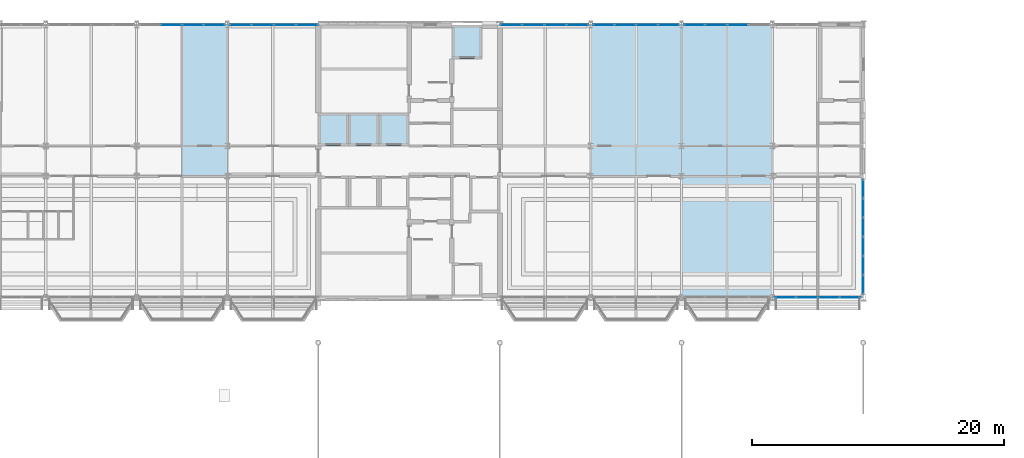
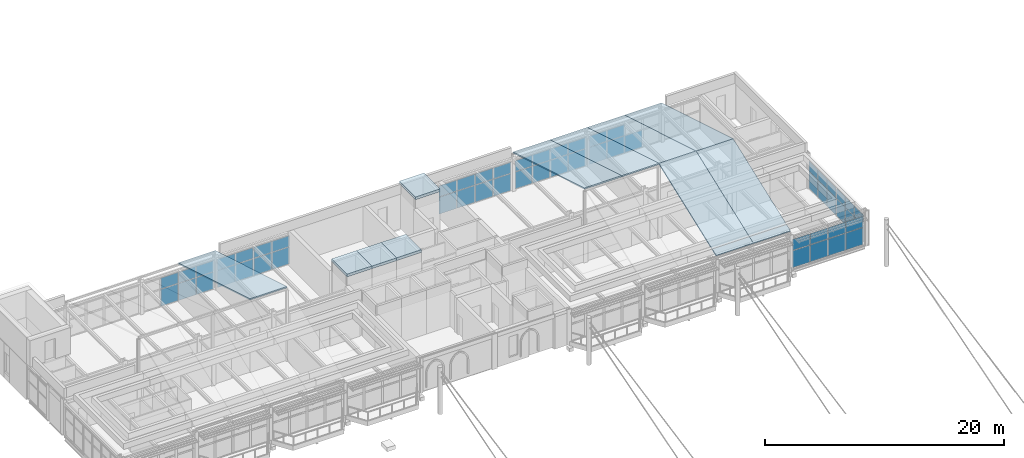
# One storey, part 46 of 68: 55 plates, 11 slabs, 8 elements without a shape of their own.
"""IFC4 building model written with IfcOpenShell, lengths in metres."""

from ifc_helpers import new_model, si_unit, direction, frame, origin, origin_2d, place, context, subcontext, project, spatial, polyline, rectangle, outline, extrude, material, layer, layer_set, type_object, element, aggregate, save


model = new_model("IFC4")

# Units and contexts
model_context = context("Model", 3, precision=1e-05, world=origin(), true_north=direction((0.0, 1.0)))
body_context = subcontext(model_context, "Body", "Model", "MODEL_VIEW")
ifc_project = project(units=[si_unit("LENGTHUNIT", "METRE"), si_unit("AREAUNIT", "SQUARE_METRE"), si_unit("VOLUMEUNIT", "CUBIC_METRE"), si_unit("PLANEANGLEUNIT", "RADIAN"), si_unit("MASSUNIT", "GRAM", prefix="KILO")], contexts=[model_context])

# Site, building, storey
site_placement = place(None, origin())
site = spatial("IfcSite", under=ifc_project, at=site_placement, CompositionType="ELEMENT")
building_placement = place(site_placement, origin())
building = spatial("IfcBuilding", under=site, at=building_placement, Name="Kupolbacken Congress Centre", CompositionType="ELEMENT")
storey_placement = place(building_placement, frame((0.0, 0.0, 25.199951171875)))
storey = spatial("IfcBuildingStorey", under=building, at=storey_placement, Name="L07", CompositionType="ELEMENT", Elevation=25.199951171875)

# Curtain wall, plates
ifc_material_1 = material(Name="Aluminium mullion-transom frame with glass", Category="aluminium")
curtain_wall_type = type_object("IfcCurtainWallType", Name="CW1 curtain wall 7200x3600", PredefinedType="NOTDEFINED", material=ifc_material_1)
curtain_wall_1_placement = place(storey_placement, origin())
curtain_wall_1 = element("IfcCurtainWall", 1, at=curtain_wall_1_placement, inside=storey, type_object=curtain_wall_type, Name="E/T/E/L07/099/g0", PredefinedType="NOTDEFINED")
ifc_material_2 = material(Name="Glass", Category="glass")
ifc_layer_1 = layer(ifc_material_2, 0.035888671875)
ifc_layer_set_1 = layer_set([ifc_layer_1], Name="Glass")
plate_type = type_object("IfcPlateType", Name="GL2 glass panel 36", PredefinedType="CURTAIN_PANEL", material=ifc_layer_set_1)
plate_1_placement = place(storey_placement, frame((136.800048828125, 123.39990234375, 0.050048828125), z_axis=(0.0, 0.0, 1.0), x_axis=(0.0, 1.0, 0.0)))
plate_1 = element("IfcPlate", 2, at=plate_1_placement, type_object=plate_type, Name="CW1 panel 1.1", PredefinedType="CURTAIN_PANEL", context=body_context, shape_type="SweptSolid", body=[
    extrude(rectangle(XDim=1.449951171875, YDim=0.035888671875, at=origin_2d()), origin(), (0.0, 0.0, 1.0), 1.72509765625),
])
plate_2_placement = place(storey_placement, frame((136.800048828125, 123.39990234375, 1.8251953125), z_axis=(0.0, 0.0, 1.0), x_axis=(0.0, 1.0, 0.0)))
plate_2 = element("IfcPlate", 3, at=plate_2_placement, type_object=plate_type, Name="CW1 panel 1.2", PredefinedType="CURTAIN_PANEL", context=body_context, shape_type="SweptSolid", body=[
    extrude(rectangle(XDim=1.449951171875, YDim=0.035888671875, at=origin_2d()), origin(), (0.0, 0.0, 1.0), 1.014892578125),
])
plate_3_placement = place(storey_placement, frame((136.800048828125, 124.91259765625, 0.050048828125), z_axis=(0.0, 0.0, 1.0), x_axis=(0.0, 1.0, 0.0)))
plate_3 = element("IfcPlate", 4, at=plate_3_placement, type_object=plate_type, Name="CW1 panel 2.1", PredefinedType="CURTAIN_PANEL", context=body_context, shape_type="SweptSolid", body=[
    extrude(rectangle(XDim=1.47509765625, YDim=0.035888671875, at=origin_2d()), origin(), (0.0, 0.0, 1.0), 1.72509765625),
])
plate_4_placement = place(storey_placement, frame((136.800048828125, 124.91259765625, 1.8251953125), z_axis=(0.0, 0.0, 1.0), x_axis=(0.0, 1.0, 0.0)))
plate_4 = element("IfcPlate", 5, at=plate_4_placement, type_object=plate_type, Name="CW1 panel 2.2", PredefinedType="CURTAIN_PANEL", context=body_context, shape_type="SweptSolid", body=[
    extrude(rectangle(XDim=1.47509765625, YDim=0.035888671875, at=origin_2d()), origin(), (0.0, 0.0, 1.0), 1.014892578125),
])
plate_5_placement = place(storey_placement, frame((136.800048828125, 126.425048828125, 0.050048828125), z_axis=(0.0, 0.0, 1.0), x_axis=(0.0, 1.0, 0.0)))
plate_5 = element("IfcPlate", 6, at=plate_5_placement, type_object=plate_type, Name="CW1 panel 3.1", PredefinedType="CURTAIN_PANEL", context=body_context, shape_type="SweptSolid", body=[
    extrude(rectangle(XDim=1.449951171875, YDim=0.035888671875, at=origin_2d()), origin(), (0.0, 0.0, 1.0), 1.72509765625),
])
plate_6_placement = place(storey_placement, frame((136.800048828125, 126.425048828125, 1.8251953125), z_axis=(0.0, 0.0, 1.0), x_axis=(0.0, 1.0, 0.0)))
plate_6 = element("IfcPlate", 7, at=plate_6_placement, type_object=plate_type, Name="CW1 panel 3.2", PredefinedType="CURTAIN_PANEL", context=body_context, shape_type="SweptSolid", body=[
    extrude(rectangle(XDim=1.449951171875, YDim=0.035888671875, at=origin_2d()), origin(), (0.0, 0.0, 1.0), 1.014892578125),
])
aggregate(curtain_wall_1, [plate_1, plate_2, plate_3, plate_4, plate_5, plate_6])

curtain_wall_2_placement = place(storey_placement, origin())
curtain_wall_2 = element("IfcCurtainWall", 8, at=curtain_wall_2_placement, inside=storey, type_object=curtain_wall_type, Name="E/T/E/L07/099/g1", PredefinedType="NOTDEFINED")
plate_7_placement = place(storey_placement, frame((136.800048828125, 127.97509765625, 0.050048828125), z_axis=(0.0, 0.0, 1.0), x_axis=(0.0, 1.0, 0.0)))
plate_7 = element("IfcPlate", 9, at=plate_7_placement, type_object=plate_type, Name="CW1 panel 1.1", PredefinedType="CURTAIN_PANEL", context=body_context, shape_type="SweptSolid", body=[
    extrude(rectangle(XDim=1.449951171875, YDim=0.035888671875, at=origin_2d()), origin(), (0.0, 0.0, 1.0), 1.72509765625),
])
plate_8_placement = place(storey_placement, frame((136.800048828125, 127.97509765625, 1.8251953125), z_axis=(0.0, 0.0, 1.0), x_axis=(0.0, 1.0, 0.0)))
plate_8 = element("IfcPlate", 10, at=plate_8_placement, type_object=plate_type, Name="CW1 panel 1.2", PredefinedType="CURTAIN_PANEL", context=body_context, shape_type="SweptSolid", body=[
    extrude(rectangle(XDim=1.449951171875, YDim=0.035888671875, at=origin_2d()), origin(), (0.0, 0.0, 1.0), 1.014892578125),
])
plate_9_placement = place(storey_placement, frame((136.800048828125, 129.487548828125, 0.050048828125), z_axis=(0.0, 0.0, 1.0), x_axis=(0.0, 1.0, 0.0)))
plate_9 = element("IfcPlate", 11, at=plate_9_placement, type_object=plate_type, Name="CW1 panel 2.1", PredefinedType="CURTAIN_PANEL", context=body_context, shape_type="SweptSolid", body=[
    extrude(rectangle(XDim=1.47509765625, YDim=0.035888671875, at=origin_2d()), origin(), (0.0, 0.0, 1.0), 1.72509765625),
])
plate_10_placement = place(storey_placement, frame((136.800048828125, 129.487548828125, 1.8251953125), z_axis=(0.0, 0.0, 1.0), x_axis=(0.0, 1.0, 0.0)))
plate_10 = element("IfcPlate", 12, at=plate_10_placement, type_object=plate_type, Name="CW1 panel 2.2", PredefinedType="CURTAIN_PANEL", context=body_context, shape_type="SweptSolid", body=[
    extrude(rectangle(XDim=1.47509765625, YDim=0.035888671875, at=origin_2d()), origin(), (0.0, 0.0, 1.0), 1.014892578125),
])
plate_11_placement = place(storey_placement, frame((136.800048828125, 131.0, 0.050048828125), z_axis=(0.0, 0.0, 1.0), x_axis=(0.0, 1.0, 0.0)))
plate_11 = element("IfcPlate", 13, at=plate_11_placement, type_object=plate_type, Name="CW1 panel 3.1", PredefinedType="CURTAIN_PANEL", context=body_context, shape_type="SweptSolid", body=[
    extrude(rectangle(XDim=1.449951171875, YDim=0.035888671875, at=origin_2d()), origin(), (0.0, 0.0, 1.0), 1.72509765625),
])
plate_12_placement = place(storey_placement, frame((136.800048828125, 131.0, 1.8251953125), z_axis=(0.0, 0.0, 1.0), x_axis=(0.0, 1.0, 0.0)))
plate_12 = element("IfcPlate", 14, at=plate_12_placement, type_object=plate_type, Name="CW1 panel 3.2", PredefinedType="CURTAIN_PANEL", context=body_context, shape_type="SweptSolid", body=[
    extrude(rectangle(XDim=1.449951171875, YDim=0.035888671875, at=origin_2d()), origin(), (0.0, 0.0, 1.0), 1.014892578125),
])
aggregate(curtain_wall_2, [plate_7, plate_8, plate_9, plate_10, plate_11, plate_12])

curtain_wall_3_placement = place(storey_placement, origin())
curtain_wall_3 = element("IfcCurtainWall", 15, at=curtain_wall_3_placement, inside=storey, type_object=curtain_wall_type, Name="E/T/N/L07/104/g0", PredefinedType="NOTDEFINED")
plate_13_placement = place(storey_placement, frame((126.861572265625, 144.0, 0.050048828125), z_axis=(0.0, 0.0, 1.0), x_axis=(-1.0, 0.0, 0.0)))
plate_13 = element("IfcPlate", 16, at=plate_13_placement, type_object=plate_type, Name="CW1 panel 2.1", PredefinedType="CURTAIN_PANEL", context=body_context, shape_type="SweptSolid", body=[
    extrude(rectangle(XDim=1.67333984375, YDim=0.035888671875, at=origin_2d()), origin(), (0.0, 0.0, 1.0), 1.72509765625),
])
plate_14_placement = place(storey_placement, frame((125.138427734375, 144.0, 0.050048828125), z_axis=(0.0, 0.0, 1.0), x_axis=(-1.0, 0.0, 0.0)))
plate_14 = element("IfcPlate", 17, at=plate_14_placement, type_object=plate_type, Name="CW1 panel 3.1", PredefinedType="CURTAIN_PANEL", context=body_context, shape_type="SweptSolid", body=[
    extrude(rectangle(XDim=1.67333984375, YDim=0.035888671875, at=origin_2d()), origin(), (0.0, 0.0, 1.0), 1.72509765625),
])
plate_15_placement = place(storey_placement, frame((125.138427734375, 144.0, 1.8251953125), z_axis=(0.0, 0.0, 1.0), x_axis=(-1.0, 0.0, 0.0)))
plate_15 = element("IfcPlate", 18, at=plate_15_placement, type_object=plate_type, Name="CW1 panel 3.2", PredefinedType="CURTAIN_PANEL", context=body_context, shape_type="SweptSolid", body=[
    extrude(rectangle(XDim=1.67333984375, YDim=0.035888671875, at=origin_2d()), origin(), (0.0, 0.0, 1.0), 1.114990234375),
])
plate_16_placement = place(storey_placement, frame((123.427734375, 144.0, 0.050048828125), z_axis=(0.0, 0.0, 1.0), x_axis=(-1.0, 0.0, 0.0)))
plate_16 = element("IfcPlate", 19, at=plate_16_placement, type_object=plate_type, Name="CW1 panel 4.1", PredefinedType="CURTAIN_PANEL", context=body_context, shape_type="SweptSolid", body=[
    extrude(rectangle(XDim=1.648193359375, YDim=0.035888671875, at=origin_2d()), origin(), (0.0, 0.0, 1.0), 1.72509765625),
])
plate_17_placement = place(storey_placement, frame((123.427734375, 144.0, 1.8251953125), z_axis=(0.0, 0.0, 1.0), x_axis=(-1.0, 0.0, 0.0)))
plate_17 = element("IfcPlate", 20, at=plate_17_placement, type_object=plate_type, Name="CW1 panel 4.2", PredefinedType="CURTAIN_PANEL", context=body_context, shape_type="SweptSolid", body=[
    extrude(rectangle(XDim=1.648193359375, YDim=0.035888671875, at=origin_2d()), origin(), (0.0, 0.0, 1.0), 1.114990234375),
])
aggregate(curtain_wall_3, [plate_13, plate_14, plate_15, plate_16, plate_17])

curtain_wall_4_placement = place(storey_placement, origin())
curtain_wall_4 = element("IfcCurtainWall", 21, at=curtain_wall_4_placement, inside=storey, type_object=curtain_wall_type, Name="E/T/N/L07/105/g0", PredefinedType="NOTDEFINED")
plate_18_placement = place(storey_placement, frame((121.372314453125, 144.0, 0.050048828125), z_axis=(0.0, 0.0, 1.0), x_axis=(-1.0, 0.0, 0.0)))
plate_18 = element("IfcPlate", 22, at=plate_18_placement, type_object=plate_type, Name="CW1 panel 1.1", PredefinedType="CURTAIN_PANEL", context=body_context, shape_type="SweptSolid", body=[
    extrude(rectangle(XDim=1.648193359375, YDim=0.035888671875, at=origin_2d()), origin(), (0.0, 0.0, 1.0), 1.72509765625),
])
plate_19_placement = place(storey_placement, frame((121.372314453125, 144.0, 1.8251953125), z_axis=(0.0, 0.0, 1.0), x_axis=(-1.0, 0.0, 0.0)))
plate_19 = element("IfcPlate", 23, at=plate_19_placement, type_object=plate_type, Name="CW1 panel 1.2", PredefinedType="CURTAIN_PANEL", context=body_context, shape_type="SweptSolid", body=[
    extrude(rectangle(XDim=1.648193359375, YDim=0.035888671875, at=origin_2d()), origin(), (0.0, 0.0, 1.0), 1.114990234375),
])
plate_20_placement = place(storey_placement, frame((119.66162109375, 144.0, 0.050048828125), z_axis=(0.0, 0.0, 1.0), x_axis=(-1.0, 0.0, 0.0)))
plate_20 = element("IfcPlate", 24, at=plate_20_placement, type_object=plate_type, Name="CW1 panel 2.1", PredefinedType="CURTAIN_PANEL", context=body_context, shape_type="SweptSolid", body=[
    extrude(rectangle(XDim=1.67333984375, YDim=0.035888671875, at=origin_2d()), origin(), (0.0, 0.0, 1.0), 1.72509765625),
])
plate_21_placement = place(storey_placement, frame((119.66162109375, 144.0, 1.8251953125), z_axis=(0.0, 0.0, 1.0), x_axis=(-1.0, 0.0, 0.0)))
plate_21 = element("IfcPlate", 25, at=plate_21_placement, type_object=plate_type, Name="CW1 panel 2.2", PredefinedType="CURTAIN_PANEL", context=body_context, shape_type="SweptSolid", body=[
    extrude(rectangle(XDim=1.67333984375, YDim=0.035888671875, at=origin_2d()), origin(), (0.0, 0.0, 1.0), 1.114990234375),
])
plate_22_placement = place(storey_placement, frame((117.9384765625, 144.0, 0.050048828125), z_axis=(0.0, 0.0, 1.0), x_axis=(-1.0, 0.0, 0.0)))
plate_22 = element("IfcPlate", 26, at=plate_22_placement, type_object=plate_type, Name="CW1 panel 3.1", PredefinedType="CURTAIN_PANEL", context=body_context, shape_type="SweptSolid", body=[
    extrude(rectangle(XDim=1.67333984375, YDim=0.035888671875, at=origin_2d()), origin(), (0.0, 0.0, 1.0), 1.72509765625),
])
plate_23_placement = place(storey_placement, frame((117.9384765625, 144.0, 1.8251953125), z_axis=(0.0, 0.0, 1.0), x_axis=(-1.0, 0.0, 0.0)))
plate_23 = element("IfcPlate", 27, at=plate_23_placement, type_object=plate_type, Name="CW1 panel 3.2", PredefinedType="CURTAIN_PANEL", context=body_context, shape_type="SweptSolid", body=[
    extrude(rectangle(XDim=1.67333984375, YDim=0.035888671875, at=origin_2d()), origin(), (0.0, 0.0, 1.0), 1.114990234375),
])
plate_24_placement = place(storey_placement, frame((116.2275390625, 144.0, 0.050048828125), z_axis=(0.0, 0.0, 1.0), x_axis=(-1.0, 0.0, 0.0)))
plate_24 = element("IfcPlate", 28, at=plate_24_placement, type_object=plate_type, Name="CW1 panel 4.1", PredefinedType="CURTAIN_PANEL", context=body_context, shape_type="SweptSolid", body=[
    extrude(rectangle(XDim=1.648193359375, YDim=0.035888671875, at=origin_2d()), origin(), (0.0, 0.0, 1.0), 1.72509765625),
])
plate_25_placement = place(storey_placement, frame((116.2275390625, 144.0, 1.8251953125), z_axis=(0.0, 0.0, 1.0), x_axis=(-1.0, 0.0, 0.0)))
plate_25 = element("IfcPlate", 29, at=plate_25_placement, type_object=plate_type, Name="CW1 panel 4.2", PredefinedType="CURTAIN_PANEL", context=body_context, shape_type="SweptSolid", body=[
    extrude(rectangle(XDim=1.648193359375, YDim=0.035888671875, at=origin_2d()), origin(), (0.0, 0.0, 1.0), 1.114990234375),
])
aggregate(curtain_wall_4, [plate_18, plate_19, plate_20, plate_21, plate_22, plate_23, plate_24, plate_25])

curtain_wall_5_placement = place(storey_placement, origin())
curtain_wall_5 = element("IfcCurtainWall", 30, at=curtain_wall_5_placement, inside=storey, type_object=curtain_wall_type, Name="E/T/N/L07/106/g0", PredefinedType="NOTDEFINED")
plate_26_placement = place(storey_placement, frame((114.153076171875, 144.0, 0.050048828125), z_axis=(0.0, 0.0, 1.0), x_axis=(-1.0, 0.0, 0.0)))
plate_26 = element("IfcPlate", 31, at=plate_26_placement, type_object=plate_type, Name="CW1 panel 1.1", PredefinedType="CURTAIN_PANEL", context=body_context, shape_type="SweptSolid", body=[
    extrude(rectangle(XDim=1.6865234375, YDim=0.035888671875, at=origin_2d()), origin(), (0.0, 0.0, 1.0), 1.72509765625),
])
plate_27_placement = place(storey_placement, frame((114.153076171875, 144.0, 1.8251953125), z_axis=(0.0, 0.0, 1.0), x_axis=(-1.0, 0.0, 0.0)))
plate_27 = element("IfcPlate", 32, at=plate_27_placement, type_object=plate_type, Name="CW1 panel 1.2", PredefinedType="CURTAIN_PANEL", context=body_context, shape_type="SweptSolid", body=[
    extrude(rectangle(XDim=1.6865234375, YDim=0.035888671875, at=origin_2d()), origin(), (0.0, 0.0, 1.0), 1.114990234375),
])
plate_28_placement = place(storey_placement, frame((112.404052734375, 144.0, 0.050048828125), z_axis=(0.0, 0.0, 1.0), x_axis=(-1.0, 0.0, 0.0)))
plate_28 = element("IfcPlate", 33, at=plate_28_placement, type_object=plate_type, Name="CW1 panel 2.1", PredefinedType="CURTAIN_PANEL", context=body_context, shape_type="SweptSolid", body=[
    extrude(rectangle(XDim=1.711669921875, YDim=0.035888671875, at=origin_2d()), origin(), (0.0, 0.0, 1.0), 1.72509765625),
])
plate_29_placement = place(storey_placement, frame((112.404052734375, 144.0, 1.8251953125), z_axis=(0.0, 0.0, 1.0), x_axis=(-1.0, 0.0, 0.0)))
plate_29 = element("IfcPlate", 34, at=plate_29_placement, type_object=plate_type, Name="CW1 panel 2.2", PredefinedType="CURTAIN_PANEL", context=body_context, shape_type="SweptSolid", body=[
    extrude(rectangle(XDim=1.711669921875, YDim=0.035888671875, at=origin_2d()), origin(), (0.0, 0.0, 1.0), 1.114990234375),
])
plate_30_placement = place(storey_placement, frame((110.642333984375, 144.0, 0.050048828125), z_axis=(0.0, 0.0, 1.0), x_axis=(-1.0, 0.0, 0.0)))
plate_30 = element("IfcPlate", 35, at=plate_30_placement, type_object=plate_type, Name="CW1 panel 3.1", PredefinedType="CURTAIN_PANEL", context=body_context, shape_type="SweptSolid", body=[
    extrude(rectangle(XDim=1.711669921875, YDim=0.035888671875, at=origin_2d()), origin(), (0.0, 0.0, 1.0), 1.72509765625),
])
plate_31_placement = place(storey_placement, frame((110.642333984375, 144.0, 1.8251953125), z_axis=(0.0, 0.0, 1.0), x_axis=(-1.0, 0.0, 0.0)))
plate_31 = element("IfcPlate", 36, at=plate_31_placement, type_object=plate_type, Name="CW1 panel 3.2", PredefinedType="CURTAIN_PANEL", context=body_context, shape_type="SweptSolid", body=[
    extrude(rectangle(XDim=1.711669921875, YDim=0.035888671875, at=origin_2d()), origin(), (0.0, 0.0, 1.0), 1.114990234375),
])
plate_32_placement = place(storey_placement, frame((108.893310546875, 144.0, 0.050048828125), z_axis=(0.0, 0.0, 1.0), x_axis=(-1.0, 0.0, 0.0)))
plate_32 = element("IfcPlate", 37, at=plate_32_placement, type_object=plate_type, Name="CW1 panel 4.1", PredefinedType="CURTAIN_PANEL", context=body_context, shape_type="SweptSolid", body=[
    extrude(rectangle(XDim=1.6865234375, YDim=0.035888671875, at=origin_2d()), origin(), (0.0, 0.0, 1.0), 1.72509765625),
])
plate_33_placement = place(storey_placement, frame((108.893310546875, 144.0, 1.8251953125), z_axis=(0.0, 0.0, 1.0), x_axis=(-1.0, 0.0, 0.0)))
plate_33 = element("IfcPlate", 38, at=plate_33_placement, type_object=plate_type, Name="CW1 panel 4.2", PredefinedType="CURTAIN_PANEL", context=body_context, shape_type="SweptSolid", body=[
    extrude(rectangle(XDim=1.6865234375, YDim=0.035888671875, at=origin_2d()), origin(), (0.0, 0.0, 1.0), 1.114990234375),
])
aggregate(curtain_wall_5, [plate_26, plate_27, plate_28, plate_29, plate_30, plate_31, plate_32, plate_33])

curtain_wall_6_placement = place(storey_placement, origin())
curtain_wall_6 = element("IfcCurtainWall", 39, at=curtain_wall_6_placement, inside=storey, type_object=curtain_wall_type, Name="E/T/N/L07/108/g0", PredefinedType="NOTDEFINED")
plate_34_placement = place(storey_placement, frame((92.706787109375, 144.0, 0.050048828125), z_axis=(0.0, 0.0, 1.0), x_axis=(-1.0, 0.0, 0.0)))
plate_34 = element("IfcPlate", 40, at=plate_34_placement, type_object=plate_type, Name="CW1 panel 1.1", PredefinedType="CURTAIN_PANEL", context=body_context, shape_type="SweptSolid", body=[
    extrude(rectangle(XDim=1.6865234375, YDim=0.035888671875, at=origin_2d()), origin(), (0.0, 0.0, 1.0), 1.72509765625),
])
plate_35_placement = place(storey_placement, frame((92.706787109375, 144.0, 1.8251953125), z_axis=(0.0, 0.0, 1.0), x_axis=(-1.0, 0.0, 0.0)))
plate_35 = element("IfcPlate", 41, at=plate_35_placement, type_object=plate_type, Name="CW1 panel 1.2", PredefinedType="CURTAIN_PANEL", context=body_context, shape_type="SweptSolid", body=[
    extrude(rectangle(XDim=1.6865234375, YDim=0.035888671875, at=origin_2d()), origin(), (0.0, 0.0, 1.0), 1.114990234375),
])
plate_36_placement = place(storey_placement, frame((90.95751953125, 144.0, 0.050048828125), z_axis=(0.0, 0.0, 1.0), x_axis=(-1.0, 0.0, 0.0)))
plate_36 = element("IfcPlate", 42, at=plate_36_placement, type_object=plate_type, Name="CW1 panel 2.1", PredefinedType="CURTAIN_PANEL", context=body_context, shape_type="SweptSolid", body=[
    extrude(rectangle(XDim=1.711669921875, YDim=0.035888671875, at=origin_2d()), origin(), (0.0, 0.0, 1.0), 1.72509765625),
])
plate_37_placement = place(storey_placement, frame((90.95751953125, 144.0, 1.8251953125), z_axis=(0.0, 0.0, 1.0), x_axis=(-1.0, 0.0, 0.0)))
plate_37 = element("IfcPlate", 43, at=plate_37_placement, type_object=plate_type, Name="CW1 panel 2.2", PredefinedType="CURTAIN_PANEL", context=body_context, shape_type="SweptSolid", body=[
    extrude(rectangle(XDim=1.711669921875, YDim=0.035888671875, at=origin_2d()), origin(), (0.0, 0.0, 1.0), 1.114990234375),
])
plate_38_placement = place(storey_placement, frame((89.196044921875, 144.0, 0.050048828125), z_axis=(0.0, 0.0, 1.0), x_axis=(-1.0, 0.0, 0.0)))
plate_38 = element("IfcPlate", 44, at=plate_38_placement, type_object=plate_type, Name="CW1 panel 3.1", PredefinedType="CURTAIN_PANEL", context=body_context, shape_type="SweptSolid", body=[
    extrude(rectangle(XDim=1.711669921875, YDim=0.035888671875, at=origin_2d()), origin(), (0.0, 0.0, 1.0), 1.72509765625),
])
plate_39_placement = place(storey_placement, frame((89.196044921875, 144.0, 1.8251953125), z_axis=(0.0, 0.0, 1.0), x_axis=(-1.0, 0.0, 0.0)))
plate_39 = element("IfcPlate", 45, at=plate_39_placement, type_object=plate_type, Name="CW1 panel 3.2", PredefinedType="CURTAIN_PANEL", context=body_context, shape_type="SweptSolid", body=[
    extrude(rectangle(XDim=1.711669921875, YDim=0.035888671875, at=origin_2d()), origin(), (0.0, 0.0, 1.0), 1.114990234375),
])
plate_40_placement = place(storey_placement, frame((87.44677734375, 144.0, 0.050048828125), z_axis=(0.0, 0.0, 1.0), x_axis=(-1.0, 0.0, 0.0)))
plate_40 = element("IfcPlate", 46, at=plate_40_placement, type_object=plate_type, Name="CW1 panel 4.1", PredefinedType="CURTAIN_PANEL", context=body_context, shape_type="SweptSolid", body=[
    extrude(rectangle(XDim=1.6865234375, YDim=0.035888671875, at=origin_2d()), origin(), (0.0, 0.0, 1.0), 1.72509765625),
])
plate_41_placement = place(storey_placement, frame((87.44677734375, 144.0, 1.8251953125), z_axis=(0.0, 0.0, 1.0), x_axis=(-1.0, 0.0, 0.0)))
plate_41 = element("IfcPlate", 47, at=plate_41_placement, type_object=plate_type, Name="CW1 panel 4.2", PredefinedType="CURTAIN_PANEL", context=body_context, shape_type="SweptSolid", body=[
    extrude(rectangle(XDim=1.6865234375, YDim=0.035888671875, at=origin_2d()), origin(), (0.0, 0.0, 1.0), 1.114990234375),
])
aggregate(curtain_wall_6, [plate_34, plate_35, plate_36, plate_37, plate_38, plate_39, plate_40, plate_41])

curtain_wall_7_placement = place(storey_placement, origin())
curtain_wall_7 = element("IfcCurtainWall", 48, at=curtain_wall_7_placement, inside=storey, type_object=curtain_wall_type, Name="E/T/N/L07/109/g0", PredefinedType="NOTDEFINED")
plate_42_placement = place(storey_placement, frame((85.372314453125, 144.0, 0.050048828125), z_axis=(0.0, 0.0, 1.0), x_axis=(-1.0, 0.0, 0.0)))
plate_42 = element("IfcPlate", 49, at=plate_42_placement, type_object=plate_type, Name="CW1 panel 1.1", PredefinedType="CURTAIN_PANEL", context=body_context, shape_type="SweptSolid", body=[
    extrude(rectangle(XDim=1.648193359375, YDim=0.035888671875, at=origin_2d()), origin(), (0.0, 0.0, 1.0), 1.72509765625),
])
plate_43_placement = place(storey_placement, frame((85.372314453125, 144.0, 1.8251953125), z_axis=(0.0, 0.0, 1.0), x_axis=(-1.0, 0.0, 0.0)))
plate_43 = element("IfcPlate", 50, at=plate_43_placement, type_object=plate_type, Name="CW1 panel 1.2", PredefinedType="CURTAIN_PANEL", context=body_context, shape_type="SweptSolid", body=[
    extrude(rectangle(XDim=1.648193359375, YDim=0.035888671875, at=origin_2d()), origin(), (0.0, 0.0, 1.0), 1.114990234375),
])
plate_44_placement = place(storey_placement, frame((83.66162109375, 144.0, 0.050048828125), z_axis=(0.0, 0.0, 1.0), x_axis=(-1.0, 0.0, 0.0)))
plate_44 = element("IfcPlate", 51, at=plate_44_placement, type_object=plate_type, Name="CW1 panel 2.1", PredefinedType="CURTAIN_PANEL", context=body_context, shape_type="SweptSolid", body=[
    extrude(rectangle(XDim=1.67333984375, YDim=0.035888671875, at=origin_2d()), origin(), (0.0, 0.0, 1.0), 1.72509765625),
])
plate_45_placement = place(storey_placement, frame((83.66162109375, 144.0, 1.8251953125), z_axis=(0.0, 0.0, 1.0), x_axis=(-1.0, 0.0, 0.0)))
plate_45 = element("IfcPlate", 52, at=plate_45_placement, type_object=plate_type, Name="CW1 panel 2.2", PredefinedType="CURTAIN_PANEL", context=body_context, shape_type="SweptSolid", body=[
    extrude(rectangle(XDim=1.67333984375, YDim=0.035888671875, at=origin_2d()), origin(), (0.0, 0.0, 1.0), 1.114990234375),
])
plate_46_placement = place(storey_placement, frame((81.9384765625, 144.0, 0.050048828125), z_axis=(0.0, 0.0, 1.0), x_axis=(-1.0, 0.0, 0.0)))
plate_46 = element("IfcPlate", 53, at=plate_46_placement, type_object=plate_type, Name="CW1 panel 3.1", PredefinedType="CURTAIN_PANEL", context=body_context, shape_type="SweptSolid", body=[
    extrude(rectangle(XDim=1.67333984375, YDim=0.035888671875, at=origin_2d()), origin(), (0.0, 0.0, 1.0), 1.72509765625),
])
plate_47_placement = place(storey_placement, frame((81.9384765625, 144.0, 1.8251953125), z_axis=(0.0, 0.0, 1.0), x_axis=(-1.0, 0.0, 0.0)))
plate_47 = element("IfcPlate", 54, at=plate_47_placement, type_object=plate_type, Name="CW1 panel 3.2", PredefinedType="CURTAIN_PANEL", context=body_context, shape_type="SweptSolid", body=[
    extrude(rectangle(XDim=1.67333984375, YDim=0.035888671875, at=origin_2d()), origin(), (0.0, 0.0, 1.0), 1.114990234375),
])
aggregate(curtain_wall_7, [plate_42, plate_43, plate_44, plate_45, plate_46, plate_47])

curtain_wall_8_placement = place(storey_placement, origin())
curtain_wall_8 = element("IfcCurtainWall", 55, at=curtain_wall_8_placement, inside=storey, type_object=curtain_wall_type, Name="E/T/S/L07/120/g0", PredefinedType="NOTDEFINED")
plate_48_placement = place(storey_placement, frame((130.628173828125, 122.39990234375, 0.050048828125), z_axis=(0.0, 0.0, 1.0), x_axis=(1.0, 0.0, 0.0)))
plate_48 = element("IfcPlate", 56, at=plate_48_placement, type_object=plate_type, Name="CW1 panel 1.1", PredefinedType="CURTAIN_PANEL", context=body_context, shape_type="SweptSolid", body=[
    extrude(rectangle(XDim=1.649169921875, YDim=0.035888671875, at=origin_2d()), origin(), (0.0, 0.0, 1.0), 1.72509765625),
])
plate_49_placement = place(storey_placement, frame((130.628173828125, 122.39990234375, 1.8251953125), z_axis=(0.0, 0.0, 1.0), x_axis=(1.0, 0.0, 0.0)))
plate_49 = element("IfcPlate", 57, at=plate_49_placement, type_object=plate_type, Name="CW1 panel 1.2", PredefinedType="CURTAIN_PANEL", context=body_context, shape_type="SweptSolid", body=[
    extrude(rectangle(XDim=1.649169921875, YDim=0.035888671875, at=origin_2d()), origin(), (0.0, 0.0, 1.0), 1.114990234375),
])
plate_50_placement = place(storey_placement, frame((132.339599609375, 122.39990234375, 0.050048828125), z_axis=(0.0, 0.0, 1.0), x_axis=(1.0, 0.0, 0.0)))
plate_50 = element("IfcPlate", 58, at=plate_50_placement, type_object=plate_type, Name="CW1 panel 2.1", PredefinedType="CURTAIN_PANEL", context=body_context, shape_type="SweptSolid", body=[
    extrude(rectangle(XDim=1.674072265625, YDim=0.035888671875, at=origin_2d()), origin(), (0.0, 0.0, 1.0), 1.72509765625),
])
plate_51_placement = place(storey_placement, frame((132.339599609375, 122.39990234375, 1.8251953125), z_axis=(0.0, 0.0, 1.0), x_axis=(1.0, 0.0, 0.0)))
plate_51 = element("IfcPlate", 59, at=plate_51_placement, type_object=plate_type, Name="CW1 panel 2.2", PredefinedType="CURTAIN_PANEL", context=body_context, shape_type="SweptSolid", body=[
    extrude(rectangle(XDim=1.674072265625, YDim=0.035888671875, at=origin_2d()), origin(), (0.0, 0.0, 1.0), 1.114990234375),
])
plate_52_placement = place(storey_placement, frame((134.063720703125, 122.39990234375, 0.050048828125), z_axis=(0.0, 0.0, 1.0), x_axis=(1.0, 0.0, 0.0)))
plate_52 = element("IfcPlate", 60, at=plate_52_placement, type_object=plate_type, Name="CW1 panel 3.1", PredefinedType="CURTAIN_PANEL", context=body_context, shape_type="SweptSolid", body=[
    extrude(rectangle(XDim=1.674072265625, YDim=0.035888671875, at=origin_2d()), origin(), (0.0, 0.0, 1.0), 1.72509765625),
])
plate_53_placement = place(storey_placement, frame((134.063720703125, 122.39990234375, 1.8251953125), z_axis=(0.0, 0.0, 1.0), x_axis=(1.0, 0.0, 0.0)))
plate_53 = element("IfcPlate", 61, at=plate_53_placement, type_object=plate_type, Name="CW1 panel 3.2", PredefinedType="CURTAIN_PANEL", context=body_context, shape_type="SweptSolid", body=[
    extrude(rectangle(XDim=1.674072265625, YDim=0.035888671875, at=origin_2d()), origin(), (0.0, 0.0, 1.0), 1.114990234375),
])
plate_54_placement = place(storey_placement, frame((135.775390625, 122.39990234375, 0.050048828125), z_axis=(0.0, 0.0, 1.0), x_axis=(1.0, 0.0, 0.0)))
plate_54 = element("IfcPlate", 62, at=plate_54_placement, type_object=plate_type, Name="CW1 panel 4.1", PredefinedType="CURTAIN_PANEL", context=body_context, shape_type="SweptSolid", body=[
    extrude(rectangle(XDim=1.649169921875, YDim=0.035888671875, at=origin_2d()), origin(), (0.0, 0.0, 1.0), 1.72509765625),
])
plate_55_placement = place(storey_placement, frame((135.775390625, 122.39990234375, 1.8251953125), z_axis=(0.0, 0.0, 1.0), x_axis=(1.0, 0.0, 0.0)))
plate_55 = element("IfcPlate", 63, at=plate_55_placement, type_object=plate_type, Name="CW1 panel 4.2", PredefinedType="CURTAIN_PANEL", context=body_context, shape_type="SweptSolid", body=[
    extrude(rectangle(XDim=1.649169921875, YDim=0.035888671875, at=origin_2d()), origin(), (0.0, 0.0, 1.0), 1.114990234375),
])
aggregate(curtain_wall_8, [plate_48, plate_49, plate_50, plate_51, plate_52, plate_53, plate_54, plate_55])

# Slabs
ifc_material_3 = material(Name="Concrete C30/37", Category="concrete")
ifc_layer_2 = layer(ifc_material_3, 0.080078125)
ifc_material_4 = material(Name="Steel S350 profiled deck", Category="steel")
ifc_layer_3 = layer(ifc_material_4, 0.06005859375)
ifc_material_5 = material(Name="Mineral wool", Category="insulation")
ifc_layer_4 = layer(ifc_material_5, 0.1201171875)
ifc_material_6 = material(Name="Roofing membrane", Category="membrane")
ifc_layer_5 = layer(ifc_material_6, 0.010009765625)
ifc_layer_set_2 = layer_set([ifc_layer_2, ifc_layer_3, ifc_layer_4, ifc_layer_5], Name="Concrete C30/37 / Steel S350 profiled deck / Mineral wool / Roofing membrane")
slab_type_1 = type_object("IfcSlabType", Name="RS2 slab 270", PredefinedType="ROOF", material=ifc_layer_set_2)
slab_1_placement = place(storey_placement, frame((0.0, 0.0, 4.5)))
element("IfcSlab", 64, at=slab_1_placement, inside=storey, type_object=slab_type_1, Name="Lift machine room slab LP12", PredefinedType="ROOF", context=body_context, shape_type="SweptSolid", body=[
    extrude(outline(polyline([(93.60009765625, 134.39990234375), (96.0, 134.39990234375), (96.0, 137.0), (93.60009765625, 137.0), (93.60009765625, 134.39990234375)])), origin(), (0.0, 0.0, 1.0), 0.27001953125),
])
slab_2_placement = place(storey_placement, frame((0.0, 0.0, 4.5)))
element("IfcSlab", 65, at=slab_2_placement, inside=storey, type_object=slab_type_1, Name="Lift machine room slab LP13", PredefinedType="ROOF", context=body_context, shape_type="SweptSolid", body=[
    extrude(outline(polyline([(96.0, 134.39990234375), (98.39990234375, 134.39990234375), (98.39990234375, 137.0), (96.0, 137.0), (96.0, 134.39990234375)])), origin(), (0.0, 0.0, 1.0), 0.27001953125),
])
slab_3_placement = place(storey_placement, frame((0.0, 0.0, 4.5)))
element("IfcSlab", 66, at=slab_3_placement, inside=storey, type_object=slab_type_1, Name="Lift machine room slab LP14", PredefinedType="ROOF", context=body_context, shape_type="SweptSolid", body=[
    extrude(outline(polyline([(98.39990234375, 134.39990234375), (100.800048828125, 134.39990234375), (100.800048828125, 137.0), (98.39990234375, 137.0), (98.39990234375, 134.39990234375)])), origin(), (0.0, 0.0, 1.0), 0.27001953125),
])
slab_4_placement = place(storey_placement, frame((0.0, 0.0, 4.5)))
element("IfcSlab", 67, at=slab_4_placement, inside=storey, type_object=slab_type_1, Name="Lift machine room slab LF2", PredefinedType="ROOF", context=body_context, shape_type="SweptSolid", body=[
    extrude(outline(polyline([(104.199951171875, 141.300048828125), (106.60009765625, 141.300048828125), (106.60009765625, 144.0), (104.199951171875, 144.0), (104.199951171875, 141.300048828125)])), origin(), (0.0, 0.0, 1.0), 0.27001953125),
])
ifc_material_7 = material(Name="Standing-seam zinc roofing", Category="metal")
ifc_layer_6 = layer(ifc_material_7, 0.02001953125)
ifc_layer_7 = layer(ifc_material_5, 0.10009765625)
ifc_layer_set_3 = layer_set([ifc_layer_6, ifc_layer_7], Name="Standing-seam zinc roofing / Mineral wool")
slab_type_2 = type_object("IfcSlabType", Name="RS8 gabled roof panel 120", PredefinedType="ROOF", material=ifc_layer_set_3)
slab_5_placement = place(storey_placement, frame((82.800048828125, 144.0, 3.900146484375), z_axis=(0.0, 0.287337158709, 0.957829503213), x_axis=(1.0, 0.0, 0.0)))
element("IfcSlab", 68, at=slab_5_placement, inside=storey, type_object=slab_type_2, Name="E/T/roof/R1/p23", PredefinedType="ROOF", context=body_context, shape_type="SweptSolid", body=[
    extrude(outline(polyline([(0.0, 0.0), (3.599853515625, 0.0), (3.599853515625, -12.528325719502893), (0.0, -12.528325719502893), (0.0, 0.0)])), origin(), (0.0, 0.0, -1.0), 0.1201171875),
])
slab_6_placement = place(storey_placement, frame((115.199951171875, 144.0, 3.900146484375), z_axis=(0.0, 0.287337158709, 0.957829503213), x_axis=(1.0, 0.0, 0.0)))
element("IfcSlab", 69, at=slab_6_placement, inside=storey, type_object=slab_type_2, Name="E/T/roof/R2/p20", PredefinedType="ROOF", context=body_context, shape_type="SweptSolid", body=[
    extrude(outline(polyline([(0.0, 0.0), (3.60009765625, 0.0), (3.60009765625, -12.528325719502893), (0.0, -12.528325719502893), (0.0, 0.0)])), origin(), (0.0, 0.0, -1.0), 0.1201171875),
])
slab_7_placement = place(storey_placement, frame((118.800048828125, 144.0, 3.900146484375), z_axis=(0.0, 0.287337158709, 0.957829503213), x_axis=(1.0, 0.0, 0.0)))
element("IfcSlab", 70, at=slab_7_placement, inside=storey, type_object=slab_type_2, Name="E/T/roof/R2/p21", PredefinedType="ROOF", context=body_context, shape_type="SweptSolid", body=[
    extrude(outline(polyline([(0.0, 0.0), (3.599853515625, 0.0), (3.599853515625, -12.528325719502893), (0.0, -12.528325719502893), (0.0, 0.0)])), origin(), (0.0, 0.0, -1.0), 0.1201171875),
])
slab_8_placement = place(storey_placement, frame((122.39990234375, 122.39990234375, 3.900146484375), z_axis=(0.0, -0.351107784341, 0.936335048888), x_axis=(1.0, 0.0, 0.0)))
element("IfcSlab", 71, at=slab_8_placement, inside=storey, type_object=slab_type_2, Name="E/T/roof/R2/p12", PredefinedType="ROOF", context=body_context, shape_type="SweptSolid", body=[
    extrude(outline(polyline([(0.0, 0.0), (3.60009765625, 0.0), (3.60009765625, 10.252844500112852), (0.0, 10.252844500112852), (0.0, 0.0)])), origin(), (0.0, 0.0, -1.0), 0.1201171875),
])
slab_9_placement = place(storey_placement, frame((122.39990234375, 144.0, 3.900146484375), z_axis=(0.0, 0.287337158709, 0.957829503213), x_axis=(1.0, 0.0, 0.0)))
element("IfcSlab", 72, at=slab_9_placement, inside=storey, type_object=slab_type_2, Name="E/T/roof/R2/p22", PredefinedType="ROOF", context=body_context, shape_type="SweptSolid", body=[
    extrude(outline(polyline([(0.0, 0.0), (3.60009765625, 0.0), (3.60009765625, -12.528325719502893), (0.0, -12.528325719502893), (0.0, 0.0)])), origin(), (0.0, 0.0, -1.0), 0.1201171875),
])
slab_10_placement = place(storey_placement, frame((126.0, 122.39990234375, 3.900146484375), z_axis=(0.0, -0.351107784341, 0.936335048888), x_axis=(1.0, 0.0, 0.0)))
element("IfcSlab", 73, at=slab_10_placement, inside=storey, type_object=slab_type_2, Name="E/T/roof/R2/p13", PredefinedType="ROOF", context=body_context, shape_type="SweptSolid", body=[
    extrude(outline(polyline([(0.0, 0.0), (3.60009765625, 0.0), (3.60009765625, 10.252844500112852), (0.0, 10.252844500112852), (0.0, 0.0)])), origin(), (0.0, 0.0, -1.0), 0.1201171875),
])
slab_11_placement = place(storey_placement, frame((126.0, 144.0, 3.900146484375), z_axis=(0.0, 0.287337158709, 0.957829503213), x_axis=(1.0, 0.0, 0.0)))
element("IfcSlab", 74, at=slab_11_placement, inside=storey, type_object=slab_type_2, Name="E/T/roof/R2/p23", PredefinedType="ROOF", context=body_context, shape_type="SweptSolid", body=[
    extrude(outline(polyline([(0.0, 0.0), (3.60009765625, 0.0), (3.60009765625, -12.528325719502893), (0.0, -12.528325719502893), (0.0, 0.0)])), origin(), (0.0, 0.0, -1.0), 0.1201171875),
])

save(model, "model.ifc")
